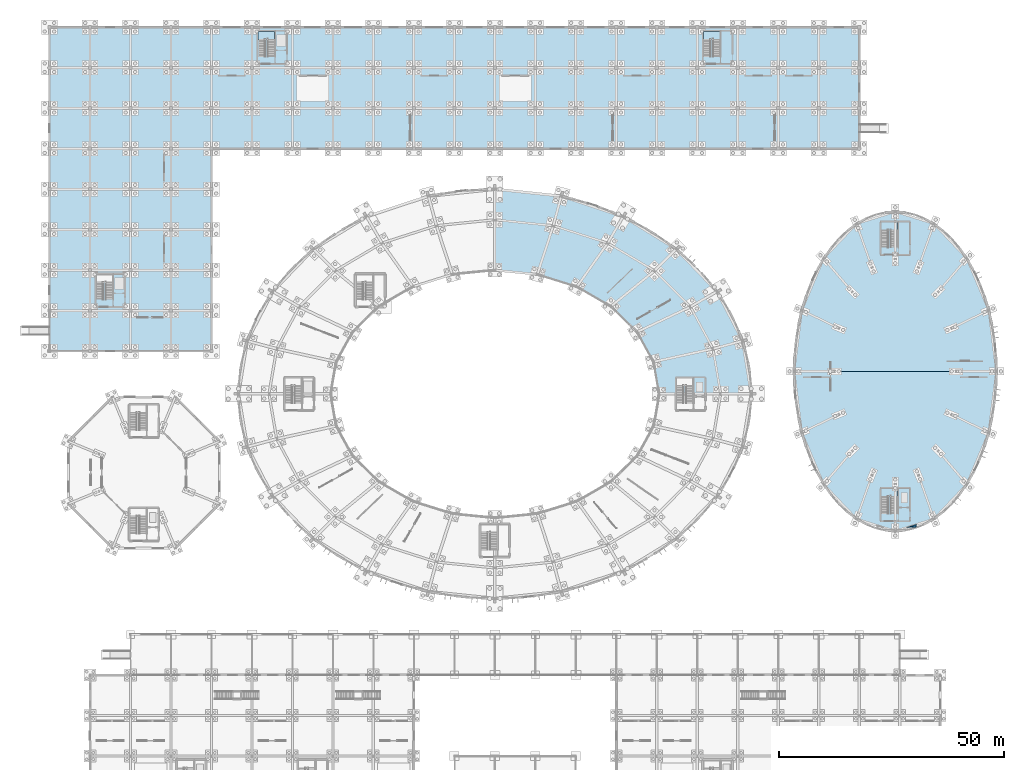
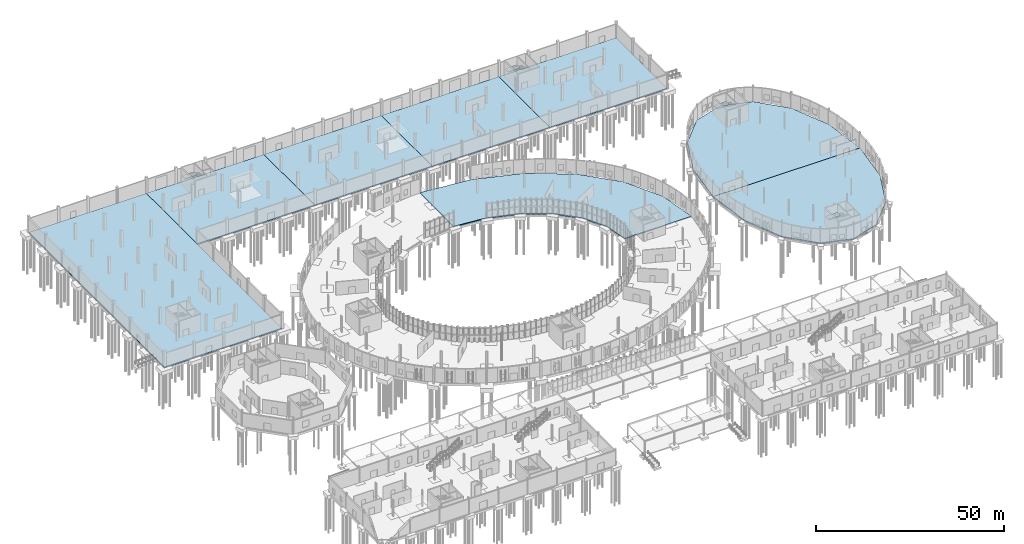
# One storey, part 78 of 118: 13 slabs, 4 elements without a shape of their own.
"""IFC4 building model written with IfcOpenShell, lengths in metres."""

import ifcopenshell
import ifcopenshell.guid

model = None  # the IFC model being written
_history = None  # IfcOwnerHistory: only IFC2X3 demands one
_inside = {}  # id of a spatial element -> (the spatial element, [elements in it])
_under = {}  # id of a project, library or spatial element -> (it, [spatial elements below it])
_declared = {}  # id of a project -> (the project, [libraries it declares])
_typed = {}  # id of a type object -> (the type object, [elements of that type])
_made_of = {}  # id of a material, layer set ... -> (it, [elements and type objects made of it])


def new_model(schema):
    """Start an empty IFC model of exactly this schema.

    Asked for "IFC4X3", IfcOpenShell would pick the latest addendum, in which some entities
    have other attributes; the version numbers below select the first issue.
    IFC2X3 requires an IfcOwnerHistory on every rooted entity: one is made here for all.
    """
    global model, _history
    if schema == "IFC4X3":
        model = ifcopenshell.file(schema_version=(4, 3, 0, 0))
    else:
        model = ifcopenshell.file(schema=schema)
    _inside.clear()
    _under.clear()
    _declared.clear()
    _typed.clear()
    _made_of.clear()
    _history = None
    if model.schema == "IFC2X3":
        org = make("IfcOrganization", Name="unknown")
        user = make(
            "IfcPersonAndOrganization",
            ThePerson=make("IfcPerson", FamilyName="unknown"),
            TheOrganization=org,
        )
        app = make(
            "IfcApplication",
            ApplicationDeveloper=org,
            Version="unknown",
            ApplicationFullName="unknown",
            ApplicationIdentifier="unknown",
        )
        _history = make(
            "IfcOwnerHistory",
            OwningUser=user,
            OwningApplication=app,
            ChangeAction="ADDED",
            CreationDate=0,
        )
    return model


def make(cls, **values):
    """One entity of the class cls with the attributes given. An attribute that is None is left unset."""
    return model.create_entity(
        cls, **{name: value for name, value in values.items() if value is not None}
    )


def rooted(cls, **values):
    """An entity with a GlobalId (a new one), such as an element, a storey or a relation."""
    return make(cls, GlobalId=ifcopenshell.guid.new(), OwnerHistory=_history, **values)


def si_unit(unit_type, name, prefix=None):
    """IfcSIUnit, for example si_unit("LENGTHUNIT", "METRE", prefix="MILLI")."""
    return make("IfcSIUnit", UnitType=unit_type, Prefix=prefix, Name=name)


def assignment(units):
    """IfcUnitAssignment: the units of a project."""
    return None if units is None else make("IfcUnitAssignment", Units=units)


def point(xyz):
    """IfcCartesianPoint."""
    return None if xyz is None else make("IfcCartesianPoint", Coordinates=xyz)


def direction(xyz):
    """IfcDirection."""
    return None if xyz is None else make("IfcDirection", DirectionRatios=xyz)


def frame(location, z_axis=None, x_axis=None):
    """IfcAxis2Placement3D, a coordinate frame: its origin and axes. An axis left out is left unset."""
    return make(
        "IfcAxis2Placement3D",
        Location=point(location),
        Axis=direction(z_axis),
        RefDirection=direction(x_axis),
    )


def origin():
    """The frame at (0, 0, 0) with its axes left unset."""
    return frame((0.0, 0.0, 0.0))


def place(relative_to, where):
    """IfcLocalPlacement: puts the frame where relative to a parent placement (None: the world)."""
    return make(
        "IfcLocalPlacement", PlacementRelTo=relative_to, RelativePlacement=where
    )


def context(
    kind, dimensions, precision=None, world=None, true_north=None, identifier=None
):
    """IfcGeometricRepresentationContext, for example the 3D "Model" context."""
    return make(
        "IfcGeometricRepresentationContext",
        ContextIdentifier=identifier,
        ContextType=kind,
        CoordinateSpaceDimension=dimensions,
        Precision=precision,
        WorldCoordinateSystem=world,
        TrueNorth=true_north,
    )


def subcontext(parent, identifier, kind, view, scale=None):
    """IfcGeometricRepresentationSubContext, for example "Body" below "Model"."""
    return make(
        "IfcGeometricRepresentationSubContext",
        ContextIdentifier=identifier,
        ContextType=kind,
        ParentContext=parent,
        TargetScale=scale,
        TargetView=view,
    )


def project(units=None, contexts=None):
    """IfcProject with its units and contexts."""
    return rooted(
        "IfcProject",
        Name="project",
        RepresentationContexts=contexts,
        UnitsInContext=assignment(units),
    )


def spatial(cls, under=None, at=None, **own):
    """A site, building, storey or space (cls), placed at a placement, below another one or the project."""
    s = rooted(cls, ObjectPlacement=at, **own)
    if under is not None:
        _under.setdefault(under.id(), (under, []))[1].append(s)
    return s


def polyline(points):
    """IfcPolyline through the points."""
    return make("IfcPolyline", Points=[point(p) for p in points])


def outline(outer, holes=None, kind="AREA"):
    """IfcArbitraryClosedProfileDef: a profile drawn as a closed curve; with holes, ...WithVoids."""
    if holes is None:
        return make("IfcArbitraryClosedProfileDef", ProfileType=kind, OuterCurve=outer)
    return make(
        "IfcArbitraryProfileDefWithVoids",
        ProfileType=kind,
        OuterCurve=outer,
        InnerCurves=holes,
    )


def extrude(swept, where, along, depth):
    """IfcExtrudedAreaSolid: the profile swept, set in the frame where, extruded along a direction by depth."""
    return make(
        "IfcExtrudedAreaSolid",
        SweptArea=swept,
        Position=where,
        ExtrudedDirection=direction(along),
        Depth=depth,
    )


def shape(context_of_items, identifier, shape_type, items):
    """IfcShapeRepresentation: the items that make up one representation, for example the "Body"."""
    return make(
        "IfcShapeRepresentation",
        ContextOfItems=context_of_items,
        RepresentationIdentifier=identifier,
        RepresentationType=shape_type,
        Items=items,
    )


def material(Name=None, Category=None):
    """IfcMaterial."""
    return make("IfcMaterial", Name=Name, Category=Category)


def layer(
    of_material, thickness, ventilated=None, Name=None, Category=None, Priority=None
):
    """IfcMaterialLayer: one layer of a wall or slab, of a material (None: an air gap)."""
    return make(
        "IfcMaterialLayer",
        Material=of_material,
        LayerThickness=thickness,
        IsVentilated=ventilated,
        Name=Name,
        Category=Category,
        Priority=Priority,
    )


def layer_set(layers, Name=None):
    """IfcMaterialLayerSet."""
    return make("IfcMaterialLayerSet", MaterialLayers=layers, LayerSetName=Name)


def made_of(thing, what):
    """Note that an element or type object is made of a material, layer set ...; save() writes the relation."""
    if what is not None:
        _made_of.setdefault(what.id(), (what, []))[1].append(thing)
    return thing


def type_object(cls, material=None, **own):
    """A type object (cls), such as IfcWallType, which elements share."""
    return made_of(rooted(cls, **own), material)


def element(
    cls,
    number,
    at=None,
    inside=None,
    cuts=None,
    type_object=None,
    material=None,
    context=None,
    identifier="Body",
    shape_type=None,
    held_by="IfcProductDefinitionShape",
    body=None,
    shapes=None,
    **own,
):
    """One element of the class cls, such as IfcWall. Its Tag is "e" and its number.

    at: its placement. inside: the storey or other place that contains it. cuts: it is an
    opening in that element (IfcRelVoidsElement). A single representation is given by context,
    identifier, shape_type and body (its items); several are given by shapes. held_by: the class
    of the entity that holds the representations. save() writes the other relations.
    """
    e = rooted(cls, Tag="e%d" % number, ObjectPlacement=at, **own)
    if body is not None:
        shapes = [shape(context, identifier, shape_type, body)]
    if shapes is not None:
        e.Representation = make(held_by, Representations=shapes)
    if inside is not None:
        _inside.setdefault(inside.id(), (inside, []))[1].append(e)
    if cuts is not None:
        rooted(
            "IfcRelVoidsElement", RelatingBuildingElement=cuts, RelatedOpeningElement=e
        )
    if type_object is not None:
        _typed.setdefault(type_object.id(), (type_object, []))[1].append(e)
    return made_of(e, material)


def aggregate(whole, parts):
    """IfcRelAggregates: a whole, such as a stair, and the parts it consists of."""
    return rooted("IfcRelAggregates", RelatingObject=whole, RelatedObjects=parts)


def save(model, path):
    """Write the relations noted so far, then the file.

    IfcRelAggregates (storeys below a building ...), IfcRelContainedInSpatialStructure (elements
    in a storey), IfcRelDefinesByType, IfcRelAssociatesMaterial and IfcRelDeclares: one each for
    every whole, place, type object, material and project.
    """
    for whole, parts in _under.values():
        aggregate(whole, parts)
    for where, things in _inside.values():
        rooted(
            "IfcRelContainedInSpatialStructure",
            RelatedElements=things,
            RelatingStructure=where,
        )
    for kind, things in _typed.values():
        rooted("IfcRelDefinesByType", RelatedObjects=things, RelatingType=kind)
    for what, things in _made_of.values():
        rooted("IfcRelAssociatesMaterial", RelatedObjects=things, RelatingMaterial=what)
    for by, libraries in _declared.values():
        rooted("IfcRelDeclares", RelatingContext=by, RelatedDefinitions=libraries)
    model.write(path)


model = new_model("IFC4")

# Units and contexts
model_context = context("Model", 3, precision=1e-05, world=origin(), true_north=direction((0.0, 1.0)))
body_context = subcontext(model_context, "Body", "Model", "MODEL_VIEW")
ifc_project = project(units=[si_unit("LENGTHUNIT", "METRE"), si_unit("AREAUNIT", "SQUARE_METRE"), si_unit("VOLUMEUNIT", "CUBIC_METRE"), si_unit("PLANEANGLEUNIT", "RADIAN"), si_unit("MASSUNIT", "GRAM", prefix="KILO")], contexts=[model_context])

# Site, building, storey
site_placement = place(None, origin())
site = spatial("IfcSite", under=ifc_project, at=site_placement, CompositionType="ELEMENT")
building_placement = place(site_placement, origin())
building = spatial("IfcBuilding", under=site, at=building_placement, Name="Kildeholm Park Wholesale Market", CompositionType="ELEMENT")
storey_placement = place(building_placement, origin())
storey = spatial("IfcBuildingStorey", under=building, at=storey_placement, Name="L00", CompositionType="ELEMENT", Elevation=0.0)

# Slabs
ifc_material_1 = material(Name="Concrete C35/45", Category="concrete")
ifc_layer_1 = layer(ifc_material_1, 0.300048828125)
ifc_layer_set_1 = layer_set([ifc_layer_1], Name="Concrete C35/45")
slab_type_1 = type_object("IfcSlabType", Name="Slab S-BS1 300 mm", PredefinedType="BASESLAB", material=ifc_layer_set_1)
slab_1_placement = place(storey_placement, frame((0.0, 0.0, -0.300048828125)))
element("IfcSlab", 1, at=slab_1_placement, inside=storey, type_object=slab_type_1, Name="Produce hall ground slab quadrant 1 SLB-0001", PredefinedType="BASESLAB", context=body_context, shape_type="SweptSolid", body=[
    extrude(outline(polyline([(156.0, 89.5), (154.05810546875, 101.27587890625), (148.363037109375, 112.25), (139.304931640625, 121.673095703125), (127.5, 128.904052734375), (113.7529296875, 133.449951171875), (99.0, 135.0), (99.0, 117.0), (108.447021484375, 116.06298828125), (117.25, 113.31591796875), (124.80908203125, 108.945068359375), (130.610107421875, 103.25), (134.256103515625, 96.617919921875), (135.5, 89.5), (156.0, 89.5)])), origin(), (0.0, 0.0, 1.0), 0.300048828125),
])
slab_2_placement = place(storey_placement, frame((0.0, 0.0, -0.300048828125)))
element("IfcSlab", 2, at=slab_2_placement, inside=storey, type_object=slab_type_1, Name="Flower trading hall ground slab SLB-0301", PredefinedType="BASESLAB", context=body_context, shape_type="SweptSolid", body=[
    extrude(outline(polyline([(165.5, 94.5), (167.212890625, 80.9150390625), (172.090087890625, 69.39794921875), (179.389892578125, 61.701904296875), (188.0, 59.0), (196.610107421875, 61.701904296875), (203.909912109375, 69.39794921875), (208.787109375, 80.9150390625), (210.5, 94.5), (165.5, 94.5)])), origin(), (0.0, 0.0, 1.0), 0.300048828125),
])
slab_3_placement = place(storey_placement, frame((0.0, 0.0, -0.300048828125)))
element("IfcSlab", 3, at=slab_3_placement, inside=storey, type_object=slab_type_1, Name="Core C12 ground base pad-2 SLB-0471", PredefinedType="BASESLAB", context=body_context, shape_type="SweptSolid", body=[
    extrude(outline(polyline([(192.699951171875, 59.800048828125), (190.56591796875, 59.800048828125), (192.699951171875, 60.469970703125), (192.699951171875, 59.800048828125)])), origin(), (0.0, 0.0, 1.0), 0.300048828125),
])
ifc_material_2 = material(Name="Concrete C40/50", Category="concrete")
ifc_layer_2 = layer(ifc_material_2, 0.39990234375)
ifc_layer_set_2 = layer_set([ifc_layer_2], Name="Concrete C40/50")
slab_type_2 = type_object("IfcSlabType", Name="Slab S-BS2 400 mm", PredefinedType="BASESLAB", material=ifc_layer_set_2)
slab_4_placement = place(storey_placement, frame((0.0, 0.0, -0.39990234375)))
element("IfcSlab", 4, at=slab_4_placement, inside=storey, type_object=slab_type_2, Name="Chilled fish trading hall ground slab SLB-0302", PredefinedType="BASESLAB", context=body_context, shape_type="SweptSolid", body=[
    extrude(outline(polyline([(210.5, 94.5), (208.787109375, 108.0849609375), (203.909912109375, 119.60205078125), (196.610107421875, 127.298095703125), (188.0, 130.0), (179.389892578125, 127.298095703125), (172.090087890625, 119.60205078125), (167.212890625, 108.0849609375), (165.5, 94.5), (210.5, 94.5)])), origin(), (0.0, 0.0, 1.0), 0.39990234375),
])
slab_5_placement = place(storey_placement, frame((0.0, 0.0, -0.39990234375)))
element("IfcSlab", 5, at=slab_5_placement, inside=storey, type_object=slab_type_2, Name="V4 L00 slab N part 1 SLB-0342", PredefinedType="BASESLAB", context=body_context, shape_type="SweptSolid", body=[
    extrude(outline(polyline([(36.0, 144.0), (72.0, 144.0), (72.0, 171.0), (36.0, 171.0), (36.0, 144.0)])), origin(), (0.0, 0.0, 1.0), 0.39990234375),
])
slab_6_placement = place(storey_placement, frame((0.0, 0.0, -0.39990234375)))
element("IfcSlab", 6, at=slab_6_placement, inside=storey, type_object=slab_type_2, Name="V4 L00 slab N part 2 SLB-0343", PredefinedType="BASESLAB", context=body_context, shape_type="SweptSolid", body=[
    extrude(outline(polyline([(72.0, 144.0), (108.0, 144.0), (108.0, 171.0), (72.0, 171.0), (72.0, 144.0)])), origin(), (0.0, 0.0, 1.0), 0.39990234375),
])
slab_7_placement = place(storey_placement, frame((0.0, 0.0, -0.39990234375)))
element("IfcSlab", 7, at=slab_7_placement, inside=storey, type_object=slab_type_2, Name="V4 L00 slab N part 3 SLB-0344", PredefinedType="BASESLAB", context=body_context, shape_type="SweptSolid", body=[
    extrude(outline(polyline([(108.0, 144.0), (144.0, 144.0), (144.0, 171.0), (108.0, 171.0), (108.0, 144.0)])), origin(), (0.0, 0.0, 1.0), 0.39990234375),
])
slab_8_placement = place(storey_placement, frame((0.0, 0.0, -0.39990234375)))
element("IfcSlab", 8, at=slab_8_placement, inside=storey, type_object=slab_type_2, Name="V4 L00 slab N part 4 SLB-0345", PredefinedType="BASESLAB", context=body_context, shape_type="SweptSolid", body=[
    extrude(outline(polyline([(144.0, 144.0), (180.0, 144.0), (180.0, 171.0), (144.0, 171.0), (144.0, 144.0)])), origin(), (0.0, 0.0, 1.0), 0.39990234375),
])
slab_9_placement = place(storey_placement, frame((0.0, 0.0, -0.39990234375)))
element("IfcSlab", 9, at=slab_9_placement, inside=storey, type_object=slab_type_2, Name="V4 L00 slab W part 1 SLB-0346", PredefinedType="BASESLAB", context=body_context, shape_type="SweptSolid", body=[
    extrude(outline(polyline([(0.0, 99.0), (36.0, 99.0), (36.0, 171.0), (0.0, 171.0), (0.0, 99.0)])), origin(), (0.0, 0.0, 1.0), 0.39990234375),
])

# Stair, slab
stair_type = type_object("IfcStairType", Name="Protected core escape stair ST-CR1", PredefinedType="HALF_TURN_STAIR", material=ifc_material_1)
stair_1_placement = place(storey_placement, origin())
stair_1 = element("IfcStair", 10, at=stair_1_placement, inside=storey, type_object=stair_type, Name="Escape stair C02 L00 STR-0003", PredefinedType="HALF_TURN_STAIR")
ifc_layer_3 = layer(ifc_material_1, 0.239990234375)
ifc_layer_set_3 = layer_set([ifc_layer_3], Name="Concrete C35/45")
slab_type_3 = type_object("IfcSlabType", Name="Stair landing slab S-LD1 240 mm", PredefinedType="LANDING", material=ifc_layer_set_3)
slab_10_placement = place(storey_placement, frame((0.0, 0.0, 2.4599609375)))
slab_10 = element("IfcSlab", 11, at=slab_10_placement, type_object=slab_type_3, Name="ST-02-00 landing 1 SLB-0409", PredefinedType="LANDING", context=body_context, shape_type="SweptSolid", body=[
    extrude(outline(polyline([(46.35009765625, 168.300048828125), (50.030029296875, 168.320068359375), (50.030029296875, 170.050048828125), (46.35009765625, 170.050048828125), (46.35009765625, 168.300048828125)])), origin(), (0.0, 0.0, 1.0), 0.239990234375),
])
aggregate(stair_1, [slab_10])

stair_2_placement = place(storey_placement, origin())
stair_2 = element("IfcStair", 12, at=stair_2_placement, inside=storey, type_object=stair_type, Name="Escape stair C03 L00 STR-0006", PredefinedType="HALF_TURN_STAIR")
slab_11_placement = place(storey_placement, frame((0.0, 0.0, 2.4599609375)))
slab_11 = element("IfcSlab", 13, at=slab_11_placement, type_object=slab_type_3, Name="ST-03-00 landing 1 SLB-0415", PredefinedType="LANDING", context=body_context, shape_type="SweptSolid", body=[
    extrude(outline(polyline([(145.35009765625, 168.300048828125), (149.030029296875, 168.320068359375), (149.030029296875, 170.050048828125), (145.35009765625, 170.050048828125), (145.35009765625, 168.300048828125)])), origin(), (0.0, 0.0, 1.0), 0.239990234375),
])
aggregate(stair_2, [slab_11])

stair_3_placement = place(storey_placement, origin())
stair_3 = element("IfcStair", 14, at=stair_3_placement, inside=storey, type_object=stair_type, Name="Escape stair C12 L00 STR-0028", PredefinedType="HALF_TURN_STAIR")
slab_12_placement = place(storey_placement, frame((0.0, 0.0, 2.4599609375)))
slab_12 = element("IfcSlab", 15, at=slab_12_placement, type_object=slab_type_3, Name="ST-12-00 landing 1 SLB-0472", PredefinedType="LANDING", context=body_context, shape_type="SweptSolid", body=[
    extrude(outline(polyline([(184.85009765625, 66.699951171875), (188.530029296875, 66.719970703125), (188.530029296875, 68.449951171875), (184.85009765625, 68.449951171875), (184.85009765625, 66.699951171875)])), origin(), (0.0, 0.0, 1.0), 0.239990234375),
])
aggregate(stair_3, [slab_12])

stair_4_placement = place(storey_placement, origin())
stair_4 = element("IfcStair", 16, at=stair_4_placement, inside=storey, type_object=stair_type, Name="Escape stair C13 L00 STR-0030", PredefinedType="HALF_TURN_STAIR")
slab_13_placement = place(storey_placement, frame((0.0, 0.0, 2.4599609375)))
slab_13 = element("IfcSlab", 17, at=slab_13_placement, type_object=slab_type_3, Name="ST-13-00 landing 1 SLB-0477", PredefinedType="LANDING", context=body_context, shape_type="SweptSolid", body=[
    extrude(outline(polyline([(184.85009765625, 125.89990234375), (188.530029296875, 125.919921875), (188.530029296875, 127.64990234375), (184.85009765625, 127.64990234375), (184.85009765625, 125.89990234375)])), origin(), (0.0, 0.0, 1.0), 0.239990234375),
])
aggregate(stair_4, [slab_13])

save(model, "model.ifc")
